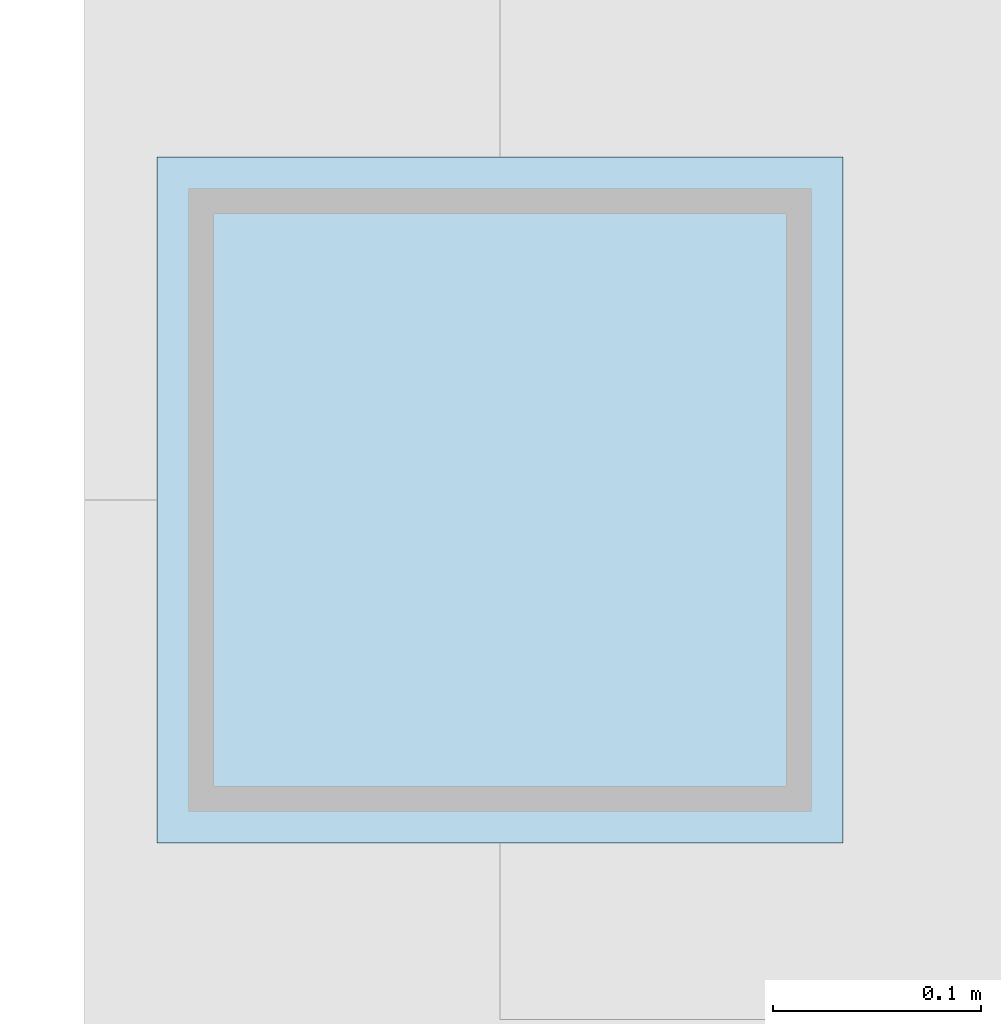
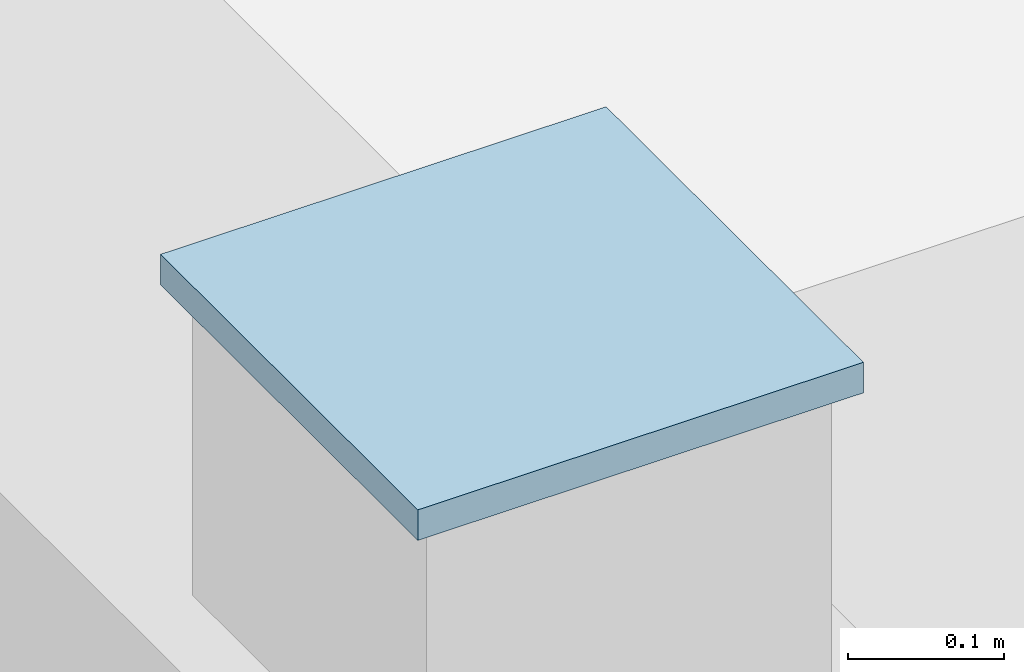
# One storey, part 62 of 80: 1 plate.
"""IFC4 building model written with IfcOpenShell, lengths in metres."""

from ifc_helpers import new_model, si_unit, direction, frame, origin, origin_2d, place, context, subcontext, project, spatial, rectangle, extrude, material, layer, layer_set, type_object, element, save


model = new_model("IFC4")

# Units and contexts
model_context = context("Model", 3, precision=1e-05, world=origin(), true_north=direction((0.0, 1.0)))
body_context = subcontext(model_context, "Body", "Model", "MODEL_VIEW")
ifc_project = project(units=[si_unit("LENGTHUNIT", "METRE"), si_unit("AREAUNIT", "SQUARE_METRE"), si_unit("VOLUMEUNIT", "CUBIC_METRE"), si_unit("PLANEANGLEUNIT", "RADIAN"), si_unit("MASSUNIT", "GRAM", prefix="KILO"), si_unit("POWERUNIT", "WATT"), si_unit("THERMODYNAMICTEMPERATUREUNIT", "KELVIN")], contexts=[model_context])

# Site, building, storey
site_placement = place(None, origin())
site = spatial("IfcSite", under=ifc_project, at=site_placement, CompositionType="ELEMENT")
building_placement = place(site_placement, origin())
building = spatial("IfcBuilding", under=site, at=building_placement, Name="Kelmbourne Parkland Aquatics Centre", CompositionType="ELEMENT")
storey_placement = place(building_placement, frame((0.0, 0.0, 10.199951171875)))
storey = spatial("IfcBuildingStorey", under=building, at=storey_placement, Name="L02", CompositionType="ELEMENT", Elevation=10.199951171875)

# Plate
ifc_material = material(Name="Welded plate steel AS/NZS 3678 Grade 350", Category="steel")
ifc_layer = layer(ifc_material, 0.02392578125)
ifc_layer_set = layer_set([ifc_layer], Name="Welded plate steel AS/NZS 3678 Grade 350")
plate_type = type_object("IfcPlateType", Name="PL-CAP-24", PredefinedType="USERDEFINED", material=ifc_layer_set)
plate_placement = place(storey_placement, frame((16.0, 57.800048828125, 4.4990234375), z_axis=(0.0, 0.0, 1.0), x_axis=(1.0, 0.0, 0.0)))
element("IfcPlate", 1, at=plate_placement, inside=storey, type_object=plate_type, Name="Hollow end cap plate CAP-0006", ObjectType="END CAP PLATE", PredefinedType="USERDEFINED", context=body_context, shape_type="SweptSolid", body=[
    extrude(rectangle(XDim=0.330078125, YDim=0.330078125, at=origin_2d()), origin(), (0.0, 0.0, 1.0), 0.02392578125),
])

save(model, "model.ifc")
